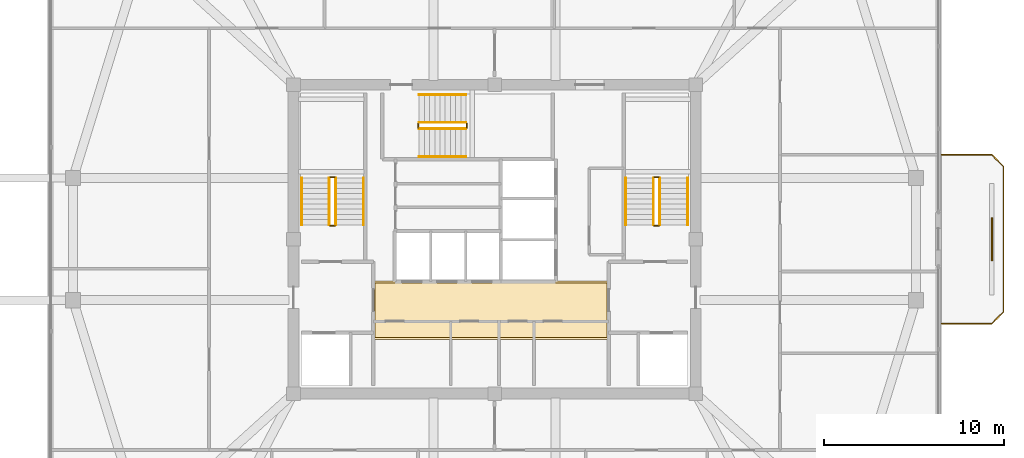
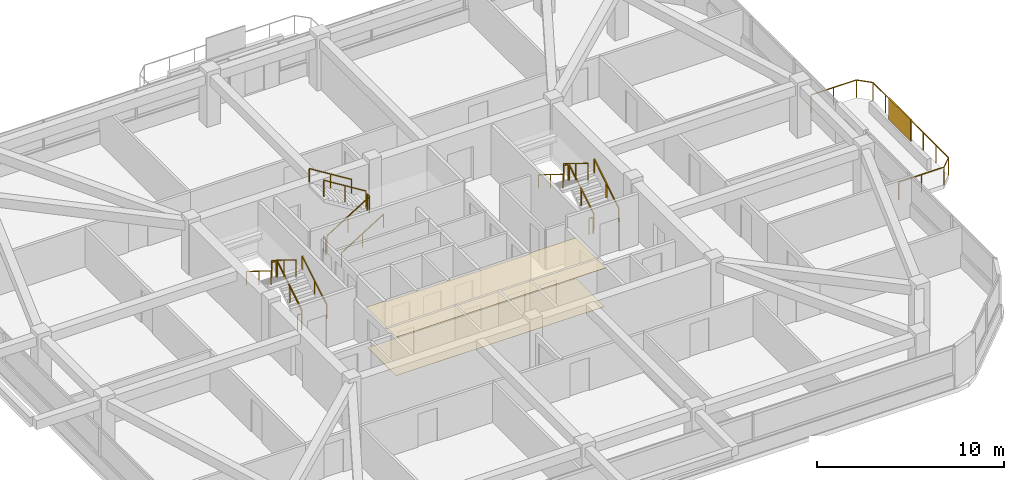
# One storey, part 13 of 14: 19 railings, 2 coverings, 1 shading device.
"""IFC4 building model written with IfcOpenShell, lengths in metres."""

from ifc_helpers import new_model, si_unit, derived_unit, direction, frame, origin, origin_2d, place, context, subcontext, project, spatial, polyline, rectangle, outline, extrude, material, layer, layer_set, type_object, element, save


model = new_model("IFC4")

# Units and contexts
model_context = context("Model", 3, precision=1e-05, world=origin(), true_north=direction((0.0, 1.0)))
body_context = subcontext(model_context, "Body", "Model", "MODEL_VIEW")
ifc_project = project(units=[si_unit("LENGTHUNIT", "METRE"), si_unit("AREAUNIT", "SQUARE_METRE"), si_unit("VOLUMEUNIT", "CUBIC_METRE"), si_unit("PLANEANGLEUNIT", "RADIAN"), si_unit("MASSUNIT", "GRAM", prefix="KILO"), derived_unit("THERMALTRANSMITTANCEUNIT", [(si_unit("POWERUNIT", "WATT"), 1), (si_unit("LENGTHUNIT", "METRE"), -2), (si_unit("THERMODYNAMICTEMPERATUREUNIT", "KELVIN"), -1)])], contexts=[model_context])

# Site, building, storey
site_placement = place(None, origin())
site = spatial("IfcSite", under=ifc_project, at=site_placement, CompositionType="ELEMENT")
building_placement = place(site_placement, origin())
building = spatial("IfcBuilding", under=site, at=building_placement, Name="Koralith Skygarden Medical Center", CompositionType="ELEMENT")
storey_placement = place(building_placement, frame((0.0, 0.0, 275.219970703125)))
storey = spatial("IfcBuildingStorey", under=building, at=storey_placement, Name="L71", CompositionType="ELEMENT", Elevation=275.219970703125)

# Covering
ifc_material_1 = material(Name="Acoustic Mineral Tile")
ifc_layer_1 = layer(ifc_material_1, 0.02001953125)
ifc_layer_set_1 = layer_set([ifc_layer_1], Name="Acoustic Mineral Tile")
covering_type_1 = type_object("IfcCoveringType", Name="Acoustic Hygienic Mineral Ceiling 20", PredefinedType="CEILING", material=ifc_layer_set_1)
covering_1_placement = place(storey_placement, frame((0.0, 0.0, 2.5849609375)))
element("IfcCovering", 1, at=covering_1_placement, inside=storey, type_object=covering_type_1, Name="L71 Core Lobby Acoustic Ceiling", PredefinedType="CEILING", context=body_context, shape_type="SweptSolid", body=[
    extrude(outline(polyline([(30.25, 20.320068359375), (43.35009765625, 20.320068359375), (43.35009765625, 23.56005859375), (30.25, 23.56005859375), (30.25, 20.320068359375)])), origin(), (0.0, 0.0, 1.0), 0.02001953125),
])

# Railing
ifc_material_2 = material(Name="Steel ASTM A500 Grade C", Category="steel")
railing_type_1 = type_object("IfcRailingType", Name="Outdoor Terrace & Balcony Safety Guardrail 1180", PredefinedType="GUARDRAIL", material=ifc_material_2)
railing_1_placement = place(storey_placement, frame((61.89990234375, 21.199951171875, 0.0)))
element("IfcRailing", 2, at=railing_1_placement, inside=storey, type_object=railing_type_1, Name="L71 E Balcony Perimeter Guardrail", PredefinedType="GUARDRAIL", context=body_context, shape_type="SweptSolid", body=[
    extrude(rectangle(XDim=0.050048828125, YDim=0.050048828125, at=origin_2d()), frame((0.001953125, 0.0, 1.15478515625), z_axis=(1.0, 0.0, 0.0), x_axis=(0.0, 1.0, 0.0)), (0.0, 0.0, 1.0), 2.796142578125),
    extrude(rectangle(XDim=0.050048828125, YDim=0.050048828125, at=origin_2d()), frame((2.801513671875, 0.00146484375, 1.15478515625), z_axis=(0.707106781187, 0.707106781187, 0.0), x_axis=(-0.707106781187, 0.707106781187, 0.0)), (0.0, 0.0, 1.0), 0.91552734375),
    extrude(rectangle(XDim=0.050048828125, YDim=0.050048828125, at=origin_2d()), frame((3.4501953125, 0.652099609375, 1.15478515625), z_axis=(0.0, 1.0, 0.0), x_axis=(-1.0, 0.0, 0.0)), (0.0, 0.0, 1.0), 8.095947265625),
    extrude(rectangle(XDim=0.050048828125, YDim=0.050048828125, at=origin_2d()), frame((3.44873046875, 8.75146484375, 1.15478515625), z_axis=(-0.707106781187, 0.707106781187, 0.0), x_axis=(-0.707106781187, -0.707106781187, 0.0)), (0.0, 0.0, 1.0), 0.91552734375),
    extrude(rectangle(XDim=0.050048828125, YDim=0.050048828125, at=origin_2d()), frame((2.798095703125, 9.400146484375, 1.15478515625), z_axis=(-1.0, 0.0, 0.0), x_axis=(0.0, -1.0, 0.0)), (0.0, 0.0, 1.0), 2.796142578125),
    extrude(rectangle(XDim=0.0419921875, YDim=0.0419921875, at=origin_2d()), origin(), (0.0, 0.0, 1.0), 1.1279296875),
    extrude(rectangle(XDim=0.0419921875, YDim=0.0419921875, at=origin_2d()), frame((1.39990234375, 0.0, 0.0)), (0.0, 0.0, 1.0), 1.1279296875),
    extrude(rectangle(XDim=0.0419921875, YDim=0.0419921875, at=origin_2d()), frame((2.800048828125, 0.0, 0.0)), (0.0, 0.0, 1.0), 1.1279296875),
    extrude(rectangle(XDim=0.0419921875, YDim=0.0419921875, at=origin_2d()), frame((3.4501953125, 0.650146484375, 0.0)), (0.0, 0.0, 1.0), 1.1279296875),
    extrude(rectangle(XDim=0.0419921875, YDim=0.0419921875, at=origin_2d()), frame((3.4501953125, 2.0, 0.0)), (0.0, 0.0, 1.0), 1.1279296875),
    extrude(rectangle(XDim=0.0419921875, YDim=0.0419921875, at=origin_2d()), frame((3.4501953125, 3.35009765625, 0.0)), (0.0, 0.0, 1.0), 1.1279296875),
    extrude(rectangle(XDim=0.0419921875, YDim=0.0419921875, at=origin_2d()), frame((3.4501953125, 4.7001953125, 0.0)), (0.0, 0.0, 1.0), 1.1279296875),
    extrude(rectangle(XDim=0.0419921875, YDim=0.0419921875, at=origin_2d()), frame((3.4501953125, 6.050048828125, 0.0)), (0.0, 0.0, 1.0), 1.1279296875),
    extrude(rectangle(XDim=0.0419921875, YDim=0.0419921875, at=origin_2d()), frame((3.4501953125, 7.39990234375, 0.0)), (0.0, 0.0, 1.0), 1.1279296875),
    extrude(rectangle(XDim=0.0419921875, YDim=0.0419921875, at=origin_2d()), frame((3.4501953125, 8.75, 0.0)), (0.0, 0.0, 1.0), 1.1279296875),
    extrude(rectangle(XDim=0.0419921875, YDim=0.0419921875, at=origin_2d()), frame((2.800048828125, 9.400146484375, 0.0)), (0.0, 0.0, 1.0), 1.1279296875),
    extrude(rectangle(XDim=0.0419921875, YDim=0.0419921875, at=origin_2d()), frame((1.39990234375, 9.400146484375, 0.0)), (0.0, 0.0, 1.0), 1.1279296875),
    extrude(rectangle(XDim=0.0419921875, YDim=0.0419921875, at=origin_2d()), frame((0.0, 9.400146484375, 0.0)), (0.0, 0.0, 1.0), 1.1279296875),
])

# Shading device
ifc_material_3 = material(Name="Aluminium 6063-T6", Category="aluminium")
ifc_layer_2 = layer(ifc_material_3, 0.080078125)
ifc_layer_set_2 = layer_set([ifc_layer_2], Name="Aluminium 6063-T6")
shading_device_type = type_object("IfcShadingDeviceType", Name="Perforated Biophilic Balcony Trellis Screen", PredefinedType="USERDEFINED", material=ifc_layer_set_2)
shading_device_placement = place(storey_placement, frame((64.699951171875, 25.89990234375, 0.719970703125), z_axis=(0.0, 0.0, 1.0), x_axis=(0.0, 1.0, 0.0)))
element("IfcShadingDevice", 3, at=shading_device_placement, inside=storey, type_object=shading_device_type, Name="L71 E Biophilic Balcony Trellis Screen", ObjectType="HURRICANE SCREEN", PredefinedType="USERDEFINED", context=body_context, shape_type="SweptSolid", body=[
    extrude(rectangle(XDim=2.39990234375, YDim=0.080078125, at=origin_2d()), origin(), (0.0, 0.0, 1.0), 1.39990234375),
])

# Covering
ifc_material_4 = material(Name="Medical Terrazzo Flooring")
ifc_layer_3 = layer(ifc_material_4, 0.014892578125)
ifc_layer_set_3 = layer_set([ifc_layer_3], Name="Medical Terrazzo Flooring")
covering_type_2 = type_object("IfcCoveringType", Name="Seamless Antimicrobial Terrazzo Flooring 15", PredefinedType="FLOORING", material=ifc_layer_set_3)
covering_2_placement = place(storey_placement, origin())
element("IfcCovering", 4, at=covering_2_placement, inside=storey, type_object=covering_type_2, Name="L71 Core Lobby Terrazzo Flooring", PredefinedType="FLOORING", context=body_context, shape_type="SweptSolid", body=[
    extrude(outline(polyline([(30.35009765625, 20.419921875), (43.25, 20.419921875), (43.25, 23.4599609375), (30.35009765625, 23.4599609375), (30.35009765625, 20.419921875)])), origin(), (0.0, 0.0, 1.0), 0.01513671875),
])

# Railings
railing_type_2 = type_object("IfcRailingType", Name="Stair Flight Tubular Handrail 920", PredefinedType="HANDRAIL", material=ifc_material_2)
railing_2_placement = place(storey_placement, frame((29.699951171875, 26.699951171875, 0.179931640625)))
element("IfcRailing", 5, at=railing_2_placement, inside=storey, type_object=railing_type_2, Name="L71 ST1 stair handrail 1", PredefinedType="HANDRAIL", context=body_context, shape_type="SweptSolid", body=[
    extrude(rectangle(XDim=0.050048828125, YDim=0.050048828125, at=origin_2d()), frame((0.0, 0.001708984375, 0.89599609375), z_axis=(0.0, 0.849632798774, 0.527374731332), x_axis=(-1.0, 0.0, 0.0)), (0.0, 0.0, 1.0), 3.068115234375),
    extrude(rectangle(XDim=0.0419921875, YDim=0.0419921875, at=origin_2d()), origin(), (0.0, 0.0, 1.0), 0.867919921875),
    extrude(rectangle(XDim=0.0419921875, YDim=0.0419921875, at=origin_2d()), frame((0.0, 1.30517578125, 0.81005859375)), (0.0, 0.0, 1.0), 0.867919921875),
    extrude(rectangle(XDim=0.0419921875, YDim=0.0419921875, at=origin_2d()), frame((0.0, 2.610107421875, 1.6201171875)), (0.0, 0.0, 1.0), 0.867919921875),
])
railing_3_placement = place(storey_placement, frame((26.25, 29.31005859375, 1.97998046875)))
element("IfcRailing", 6, at=railing_3_placement, inside=storey, type_object=railing_type_2, Name="L71 ST1 stair handrail 2", PredefinedType="HANDRAIL", context=body_context, shape_type="SweptSolid", body=[
    extrude(rectangle(XDim=0.050048828125, YDim=0.050048828125, at=origin_2d()), frame((0.0, -0.001708984375, 0.89599609375), z_axis=(0.0, -0.849632798774, 0.527374731332), x_axis=(1.0, 0.0, 0.0)), (0.0, 0.0, 1.0), 3.068115234375),
    extrude(rectangle(XDim=0.0419921875, YDim=0.0419921875, at=origin_2d()), origin(), (0.0, 0.0, 1.0), 0.867919921875),
    extrude(rectangle(XDim=0.0419921875, YDim=0.0419921875, at=origin_2d()), frame((0.0, -1.30517578125, 0.81005859375)), (0.0, 0.0, 1.0), 0.867919921875),
    extrude(rectangle(XDim=0.0419921875, YDim=0.0419921875, at=origin_2d()), frame((0.0, -2.610107421875, 1.6201171875)), (0.0, 0.0, 1.0), 0.867919921875),
])
railing_4_placement = place(storey_placement, frame((47.75, 26.699951171875, 0.179931640625)))
element("IfcRailing", 7, at=railing_4_placement, inside=storey, type_object=railing_type_2, Name="L71 ST2 stair handrail 1", PredefinedType="HANDRAIL", context=body_context, shape_type="SweptSolid", body=[
    extrude(rectangle(XDim=0.050048828125, YDim=0.050048828125, at=origin_2d()), frame((0.0, 0.001708984375, 0.89599609375), z_axis=(0.0, 0.849632798774, 0.527374731332), x_axis=(-1.0, 0.0, 0.0)), (0.0, 0.0, 1.0), 3.068115234375),
    extrude(rectangle(XDim=0.0419921875, YDim=0.0419921875, at=origin_2d()), origin(), (0.0, 0.0, 1.0), 0.867919921875),
    extrude(rectangle(XDim=0.0419921875, YDim=0.0419921875, at=origin_2d()), frame((0.0, 1.30517578125, 0.81005859375)), (0.0, 0.0, 1.0), 0.867919921875),
    extrude(rectangle(XDim=0.0419921875, YDim=0.0419921875, at=origin_2d()), frame((0.0, 2.610107421875, 1.6201171875)), (0.0, 0.0, 1.0), 0.867919921875),
])
railing_5_placement = place(storey_placement, frame((44.300048828125, 29.31005859375, 1.97998046875)))
element("IfcRailing", 8, at=railing_5_placement, inside=storey, type_object=railing_type_2, Name="L71 ST2 stair handrail 2", PredefinedType="HANDRAIL", context=body_context, shape_type="SweptSolid", body=[
    extrude(rectangle(XDim=0.050048828125, YDim=0.050048828125, at=origin_2d()), frame((0.0, -0.001708984375, 0.89599609375), z_axis=(0.0, -0.849632798774, 0.527374731332), x_axis=(1.0, 0.0, 0.0)), (0.0, 0.0, 1.0), 3.068115234375),
    extrude(rectangle(XDim=0.0419921875, YDim=0.0419921875, at=origin_2d()), origin(), (0.0, 0.0, 1.0), 0.867919921875),
    extrude(rectangle(XDim=0.0419921875, YDim=0.0419921875, at=origin_2d()), frame((0.0, -1.30517578125, 0.81005859375)), (0.0, 0.0, 1.0), 0.867919921875),
    extrude(rectangle(XDim=0.0419921875, YDim=0.0419921875, at=origin_2d()), frame((0.0, -2.610107421875, 1.6201171875)), (0.0, 0.0, 1.0), 0.867919921875),
])
railing_6_placement = place(storey_placement, frame((32.800048828125, 30.5, 0.179931640625)))
element("IfcRailing", 9, at=railing_6_placement, inside=storey, type_object=railing_type_2, Name="L71 ST3 stair handrail 1", PredefinedType="HANDRAIL", context=body_context, shape_type="SweptSolid", body=[
    extrude(rectangle(XDim=0.050048828125, YDim=0.050048828125, at=origin_2d()), frame((0.001708984375, 0.0, 0.89599609375), z_axis=(0.849610693518, 0.0, 0.52741034258), x_axis=(0.0, 1.0, 0.0)), (0.0, 0.0, 1.0), 3.06787109375),
    extrude(rectangle(XDim=0.0419921875, YDim=0.0419921875, at=origin_2d()), origin(), (0.0, 0.0, 1.0), 0.867919921875),
    extrude(rectangle(XDim=0.0419921875, YDim=0.0419921875, at=origin_2d()), frame((1.304931640625, 0.0, 0.81005859375)), (0.0, 0.0, 1.0), 0.867919921875),
    extrude(rectangle(XDim=0.0419921875, YDim=0.0419921875, at=origin_2d()), frame((2.60986328125, 0.0, 1.6201171875)), (0.0, 0.0, 1.0), 0.867919921875),
])
railing_7_placement = place(storey_placement, frame((35.409912109375, 33.949951171875, 1.97998046875)))
element("IfcRailing", 10, at=railing_7_placement, inside=storey, type_object=railing_type_2, Name="L71 ST3 stair handrail 2", PredefinedType="HANDRAIL", context=body_context, shape_type="SweptSolid", body=[
    extrude(rectangle(XDim=0.050048828125, YDim=0.050048828125, at=origin_2d()), frame((-0.001708984375, 0.0, 0.89599609375), z_axis=(-0.849610693518, 0.0, 0.52741034258), x_axis=(0.0, -1.0, 0.0)), (0.0, 0.0, 1.0), 3.06787109375),
    extrude(rectangle(XDim=0.0419921875, YDim=0.0419921875, at=origin_2d()), origin(), (0.0, 0.0, 1.0), 0.867919921875),
    extrude(rectangle(XDim=0.0419921875, YDim=0.0419921875, at=origin_2d()), frame((-1.304931640625, 0.0, 0.81005859375)), (0.0, 0.0, 1.0), 0.867919921875),
    extrude(rectangle(XDim=0.0419921875, YDim=0.0419921875, at=origin_2d()), frame((-2.60986328125, 0.0, 1.6201171875)), (0.0, 0.0, 1.0), 0.867919921875),
])
railing_type_3 = type_object("IfcRailingType", Name="Stair Well Safety Guardrail 1100", PredefinedType="GUARDRAIL", material=ifc_material_2)
railing_8_placement = place(storey_placement, frame((28.14990234375, 26.699951171875, 0.179931640625)))
element("IfcRailing", 11, at=railing_8_placement, inside=storey, type_object=railing_type_3, Name="L71 ST1 stair guard 1", PredefinedType="GUARDRAIL", context=body_context, shape_type="SweptSolid", body=[
    extrude(rectangle(XDim=0.050048828125, YDim=0.050048828125, at=origin_2d()), frame((0.0, 0.001708984375, 1.076171875), z_axis=(0.0, 0.849632798774, 0.527374731332), x_axis=(-1.0, 0.0, 0.0)), (0.0, 0.0, 1.0), 3.068115234375),
    extrude(rectangle(XDim=0.0419921875, YDim=0.0419921875, at=origin_2d()), origin(), (0.0, 0.0, 1.0), 1.048095703125),
    extrude(rectangle(XDim=0.0419921875, YDim=0.0419921875, at=origin_2d()), frame((0.0, 1.30517578125, 0.81005859375)), (0.0, 0.0, 1.0), 1.048095703125),
    extrude(rectangle(XDim=0.0419921875, YDim=0.0419921875, at=origin_2d()), frame((0.0, 2.610107421875, 1.6201171875)), (0.0, 0.0, 1.0), 1.048095703125),
])
railing_9_placement = place(storey_placement, frame((28.10009765625, 29.360107421875, 1.800048828125)))
element("IfcRailing", 12, at=railing_9_placement, inside=storey, type_object=railing_type_3, Name="L71 ST1 stair guard 2", PredefinedType="GUARDRAIL", context=body_context, shape_type="SweptSolid", body=[
    extrude(rectangle(XDim=0.050048828125, YDim=0.050048828125, at=origin_2d()), frame((-0.001953125, 0.0, 1.0751953125), z_axis=(-1.0, 0.0, 0.0), x_axis=(0.0, -1.0, 0.0)), (0.0, 0.0, 1.0), 0.24609375),
    extrude(rectangle(XDim=0.0419921875, YDim=0.0419921875, at=origin_2d()), origin(), (0.0, 0.0, 1.0), 1.048095703125),
    extrude(rectangle(XDim=0.0419921875, YDim=0.0419921875, at=origin_2d()), frame((-0.25, 0.0, 0.0)), (0.0, 0.0, 1.0), 1.048095703125),
])
railing_10_placement = place(storey_placement, frame((27.800048828125, 29.31005859375, 1.97998046875)))
element("IfcRailing", 13, at=railing_10_placement, inside=storey, type_object=railing_type_3, Name="L71 ST1 stair guard 3", PredefinedType="GUARDRAIL", context=body_context, shape_type="SweptSolid", body=[
    extrude(rectangle(XDim=0.050048828125, YDim=0.050048828125, at=origin_2d()), frame((0.0, -0.001708984375, 1.076171875), z_axis=(0.0, -0.849632798774, 0.527374731332), x_axis=(1.0, 0.0, 0.0)), (0.0, 0.0, 1.0), 3.068115234375),
    extrude(rectangle(XDim=0.0419921875, YDim=0.0419921875, at=origin_2d()), origin(), (0.0, 0.0, 1.0), 1.048095703125),
    extrude(rectangle(XDim=0.0419921875, YDim=0.0419921875, at=origin_2d()), frame((0.0, -1.30517578125, 0.81005859375)), (0.0, 0.0, 1.0), 1.048095703125),
    extrude(rectangle(XDim=0.0419921875, YDim=0.0419921875, at=origin_2d()), frame((0.0, -2.610107421875, 1.6201171875)), (0.0, 0.0, 1.0), 1.048095703125),
])
railing_11_placement = place(storey_placement, frame((28.10009765625, 26.64990234375, 0.0)))
element("IfcRailing", 14, at=railing_11_placement, inside=storey, type_object=railing_type_3, Name="L71 ST1 stair guard 4", PredefinedType="GUARDRAIL", context=body_context, shape_type="SweptSolid", body=[
    extrude(rectangle(XDim=0.050048828125, YDim=0.050048828125, at=origin_2d()), frame((-0.001953125, 0.0, 1.0751953125), z_axis=(-1.0, 0.0, 0.0), x_axis=(0.0, -1.0, 0.0)), (0.0, 0.0, 1.0), 0.24609375),
    extrude(rectangle(XDim=0.0419921875, YDim=0.0419921875, at=origin_2d()), origin(), (0.0, 0.0, 1.0), 1.048095703125),
    extrude(rectangle(XDim=0.0419921875, YDim=0.0419921875, at=origin_2d()), frame((-0.25, 0.0, 0.0)), (0.0, 0.0, 1.0), 1.048095703125),
])
railing_12_placement = place(storey_placement, frame((46.199951171875, 26.699951171875, 0.179931640625)))
element("IfcRailing", 15, at=railing_12_placement, inside=storey, type_object=railing_type_3, Name="L71 ST2 stair guard 1", PredefinedType="GUARDRAIL", context=body_context, shape_type="SweptSolid", body=[
    extrude(rectangle(XDim=0.050048828125, YDim=0.050048828125, at=origin_2d()), frame((0.0, 0.001708984375, 1.076171875), z_axis=(0.0, 0.849632798774, 0.527374731332), x_axis=(-1.0, 0.0, 0.0)), (0.0, 0.0, 1.0), 3.068115234375),
    extrude(rectangle(XDim=0.0419921875, YDim=0.0419921875, at=origin_2d()), origin(), (0.0, 0.0, 1.0), 1.048095703125),
    extrude(rectangle(XDim=0.0419921875, YDim=0.0419921875, at=origin_2d()), frame((0.0, 1.30517578125, 0.81005859375)), (0.0, 0.0, 1.0), 1.048095703125),
    extrude(rectangle(XDim=0.0419921875, YDim=0.0419921875, at=origin_2d()), frame((0.0, 2.610107421875, 1.6201171875)), (0.0, 0.0, 1.0), 1.048095703125),
])
railing_13_placement = place(storey_placement, frame((46.14990234375, 29.360107421875, 1.800048828125)))
element("IfcRailing", 16, at=railing_13_placement, inside=storey, type_object=railing_type_3, Name="L71 ST2 stair guard 2", PredefinedType="GUARDRAIL", context=body_context, shape_type="SweptSolid", body=[
    extrude(rectangle(XDim=0.050048828125, YDim=0.050048828125, at=origin_2d()), frame((-0.001953125, 0.0, 1.0751953125), z_axis=(-1.0, 0.0, 0.0), x_axis=(0.0, -1.0, 0.0)), (0.0, 0.0, 1.0), 0.24609375),
    extrude(rectangle(XDim=0.0419921875, YDim=0.0419921875, at=origin_2d()), origin(), (0.0, 0.0, 1.0), 1.048095703125),
    extrude(rectangle(XDim=0.0419921875, YDim=0.0419921875, at=origin_2d()), frame((-0.25, 0.0, 0.0)), (0.0, 0.0, 1.0), 1.048095703125),
])
railing_14_placement = place(storey_placement, frame((45.85009765625, 29.31005859375, 1.97998046875)))
element("IfcRailing", 17, at=railing_14_placement, inside=storey, type_object=railing_type_3, Name="L71 ST2 stair guard 3", PredefinedType="GUARDRAIL", context=body_context, shape_type="SweptSolid", body=[
    extrude(rectangle(XDim=0.050048828125, YDim=0.050048828125, at=origin_2d()), frame((0.0, -0.001708984375, 1.076171875), z_axis=(0.0, -0.849632798774, 0.527374731332), x_axis=(1.0, 0.0, 0.0)), (0.0, 0.0, 1.0), 3.068115234375),
    extrude(rectangle(XDim=0.0419921875, YDim=0.0419921875, at=origin_2d()), origin(), (0.0, 0.0, 1.0), 1.048095703125),
    extrude(rectangle(XDim=0.0419921875, YDim=0.0419921875, at=origin_2d()), frame((0.0, -1.30517578125, 0.81005859375)), (0.0, 0.0, 1.0), 1.048095703125),
    extrude(rectangle(XDim=0.0419921875, YDim=0.0419921875, at=origin_2d()), frame((0.0, -2.610107421875, 1.6201171875)), (0.0, 0.0, 1.0), 1.048095703125),
])
railing_15_placement = place(storey_placement, frame((46.14990234375, 26.64990234375, 0.0)))
element("IfcRailing", 18, at=railing_15_placement, inside=storey, type_object=railing_type_3, Name="L71 ST2 stair guard 4", PredefinedType="GUARDRAIL", context=body_context, shape_type="SweptSolid", body=[
    extrude(rectangle(XDim=0.050048828125, YDim=0.050048828125, at=origin_2d()), frame((-0.001953125, 0.0, 1.0751953125), z_axis=(-1.0, 0.0, 0.0), x_axis=(0.0, -1.0, 0.0)), (0.0, 0.0, 1.0), 0.24609375),
    extrude(rectangle(XDim=0.0419921875, YDim=0.0419921875, at=origin_2d()), origin(), (0.0, 0.0, 1.0), 1.048095703125),
    extrude(rectangle(XDim=0.0419921875, YDim=0.0419921875, at=origin_2d()), frame((-0.25, 0.0, 0.0)), (0.0, 0.0, 1.0), 1.048095703125),
])
railing_16_placement = place(storey_placement, frame((32.800048828125, 32.050048828125, 0.179931640625)))
element("IfcRailing", 19, at=railing_16_placement, inside=storey, type_object=railing_type_3, Name="L71 ST3 stair guard 1", PredefinedType="GUARDRAIL", context=body_context, shape_type="SweptSolid", body=[
    extrude(rectangle(XDim=0.050048828125, YDim=0.050048828125, at=origin_2d()), frame((0.001708984375, 0.0, 1.076171875), z_axis=(0.849610693518, 0.0, 0.52741034258), x_axis=(0.0, 1.0, 0.0)), (0.0, 0.0, 1.0), 3.06787109375),
    extrude(rectangle(XDim=0.0419921875, YDim=0.0419921875, at=origin_2d()), origin(), (0.0, 0.0, 1.0), 1.048095703125),
    extrude(rectangle(XDim=0.0419921875, YDim=0.0419921875, at=origin_2d()), frame((1.304931640625, 0.0, 0.81005859375)), (0.0, 0.0, 1.0), 1.048095703125),
    extrude(rectangle(XDim=0.0419921875, YDim=0.0419921875, at=origin_2d()), frame((2.60986328125, 0.0, 1.6201171875)), (0.0, 0.0, 1.0), 1.048095703125),
])
railing_17_placement = place(storey_placement, frame((35.4599609375, 32.10009765625, 1.800048828125)))
element("IfcRailing", 20, at=railing_17_placement, inside=storey, type_object=railing_type_3, Name="L71 ST3 stair guard 2", PredefinedType="GUARDRAIL", context=body_context, shape_type="SweptSolid", body=[
    extrude(rectangle(XDim=0.050048828125, YDim=0.050048828125, at=origin_2d()), frame((0.0, 0.001953125, 1.0751953125), z_axis=(0.0, 1.0, 0.0), x_axis=(-1.0, 0.0, 0.0)), (0.0, 0.0, 1.0), 0.24609375),
    extrude(rectangle(XDim=0.0419921875, YDim=0.0419921875, at=origin_2d()), origin(), (0.0, 0.0, 1.0), 1.048095703125),
    extrude(rectangle(XDim=0.0419921875, YDim=0.0419921875, at=origin_2d()), frame((0.0, 0.25, 0.0)), (0.0, 0.0, 1.0), 1.048095703125),
])
railing_18_placement = place(storey_placement, frame((35.409912109375, 32.39990234375, 1.97998046875)))
element("IfcRailing", 21, at=railing_18_placement, inside=storey, type_object=railing_type_3, Name="L71 ST3 stair guard 3", PredefinedType="GUARDRAIL", context=body_context, shape_type="SweptSolid", body=[
    extrude(rectangle(XDim=0.050048828125, YDim=0.050048828125, at=origin_2d()), frame((-0.001708984375, 0.0, 1.076171875), z_axis=(-0.849610693518, 0.0, 0.52741034258), x_axis=(0.0, -1.0, 0.0)), (0.0, 0.0, 1.0), 3.06787109375),
    extrude(rectangle(XDim=0.0419921875, YDim=0.0419921875, at=origin_2d()), origin(), (0.0, 0.0, 1.0), 1.048095703125),
    extrude(rectangle(XDim=0.0419921875, YDim=0.0419921875, at=origin_2d()), frame((-1.304931640625, 0.0, 0.81005859375)), (0.0, 0.0, 1.0), 1.048095703125),
    extrude(rectangle(XDim=0.0419921875, YDim=0.0419921875, at=origin_2d()), frame((-2.60986328125, 0.0, 1.6201171875)), (0.0, 0.0, 1.0), 1.048095703125),
])
railing_19_placement = place(storey_placement, frame((32.75, 32.10009765625, 0.0)))
element("IfcRailing", 22, at=railing_19_placement, inside=storey, type_object=railing_type_3, Name="L71 ST3 stair guard 4", PredefinedType="GUARDRAIL", context=body_context, shape_type="SweptSolid", body=[
    extrude(rectangle(XDim=0.050048828125, YDim=0.050048828125, at=origin_2d()), frame((0.0, 0.001953125, 1.0751953125), z_axis=(0.0, 1.0, 0.0), x_axis=(-1.0, 0.0, 0.0)), (0.0, 0.0, 1.0), 0.24609375),
    extrude(rectangle(XDim=0.0419921875, YDim=0.0419921875, at=origin_2d()), origin(), (0.0, 0.0, 1.0), 1.048095703125),
    extrude(rectangle(XDim=0.0419921875, YDim=0.0419921875, at=origin_2d()), frame((0.0, 0.25, 0.0)), (0.0, 0.0, 1.0), 1.048095703125),
])

save(model, "model.ifc")
